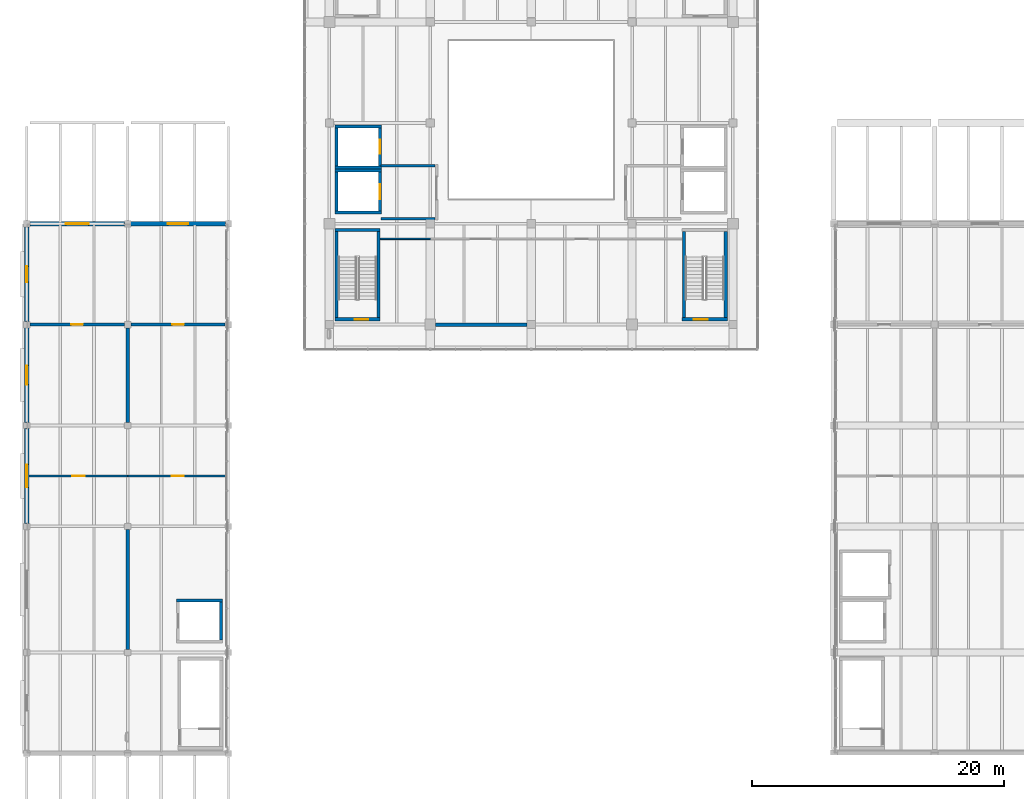
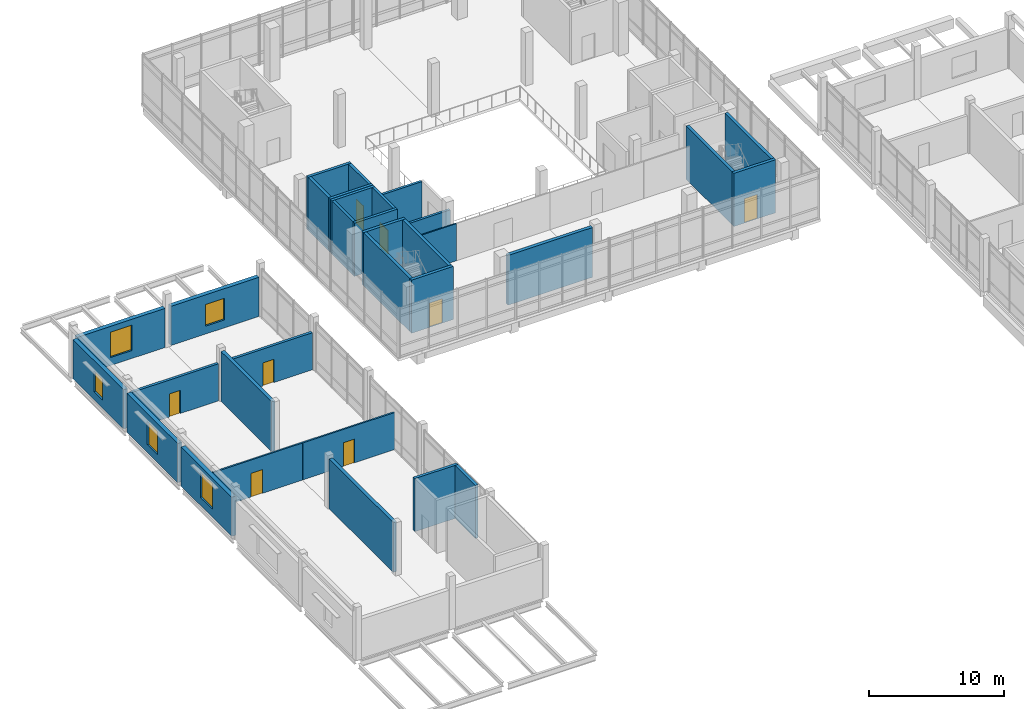
# One storey, part 20 of 28: 32 walls, 8 doors, 5 windows, 13 openings.
"""IFC4 building model written with IfcOpenShell, lengths in metres."""

import ifcopenshell
import ifcopenshell.guid

model = None  # the IFC model being written
_history = None  # IfcOwnerHistory: only IFC2X3 demands one
_inside = {}  # id of a spatial element -> (the spatial element, [elements in it])
_under = {}  # id of a project, library or spatial element -> (it, [spatial elements below it])
_declared = {}  # id of a project -> (the project, [libraries it declares])
_typed = {}  # id of a type object -> (the type object, [elements of that type])
_made_of = {}  # id of a material, layer set ... -> (it, [elements and type objects made of it])


def new_model(schema):
    """Start an empty IFC model of exactly this schema.

    Asked for "IFC4X3", IfcOpenShell would pick the latest addendum, in which some entities
    have other attributes; the version numbers below select the first issue.
    IFC2X3 requires an IfcOwnerHistory on every rooted entity: one is made here for all.
    """
    global model, _history
    if schema == "IFC4X3":
        model = ifcopenshell.file(schema_version=(4, 3, 0, 0))
    else:
        model = ifcopenshell.file(schema=schema)
    _inside.clear()
    _under.clear()
    _declared.clear()
    _typed.clear()
    _made_of.clear()
    _history = None
    if model.schema == "IFC2X3":
        org = make("IfcOrganization", Name="unknown")
        user = make(
            "IfcPersonAndOrganization",
            ThePerson=make("IfcPerson", FamilyName="unknown"),
            TheOrganization=org,
        )
        app = make(
            "IfcApplication",
            ApplicationDeveloper=org,
            Version="unknown",
            ApplicationFullName="unknown",
            ApplicationIdentifier="unknown",
        )
        _history = make(
            "IfcOwnerHistory",
            OwningUser=user,
            OwningApplication=app,
            ChangeAction="ADDED",
            CreationDate=0,
        )
    return model


def make(cls, **values):
    """One entity of the class cls with the attributes given. An attribute that is None is left unset."""
    return model.create_entity(
        cls, **{name: value for name, value in values.items() if value is not None}
    )


def rooted(cls, **values):
    """An entity with a GlobalId (a new one), such as an element, a storey or a relation."""
    return make(cls, GlobalId=ifcopenshell.guid.new(), OwnerHistory=_history, **values)


def si_unit(unit_type, name, prefix=None):
    """IfcSIUnit, for example si_unit("LENGTHUNIT", "METRE", prefix="MILLI")."""
    return make("IfcSIUnit", UnitType=unit_type, Prefix=prefix, Name=name)


def assignment(units):
    """IfcUnitAssignment: the units of a project."""
    return None if units is None else make("IfcUnitAssignment", Units=units)


def point(xyz):
    """IfcCartesianPoint."""
    return None if xyz is None else make("IfcCartesianPoint", Coordinates=xyz)


def direction(xyz):
    """IfcDirection."""
    return None if xyz is None else make("IfcDirection", DirectionRatios=xyz)


def frame(location, z_axis=None, x_axis=None):
    """IfcAxis2Placement3D, a coordinate frame: its origin and axes. An axis left out is left unset."""
    return make(
        "IfcAxis2Placement3D",
        Location=point(location),
        Axis=direction(z_axis),
        RefDirection=direction(x_axis),
    )


def frame_2d(location, x_axis=None):
    """IfcAxis2Placement2D, a coordinate frame in the plane: its origin and x axis."""
    return make(
        "IfcAxis2Placement2D", Location=point(location), RefDirection=direction(x_axis)
    )


def origin():
    """The frame at (0, 0, 0) with its axes left unset."""
    return frame((0.0, 0.0, 0.0))


def place(relative_to, where):
    """IfcLocalPlacement: puts the frame where relative to a parent placement (None: the world)."""
    return make(
        "IfcLocalPlacement", PlacementRelTo=relative_to, RelativePlacement=where
    )


def context(
    kind, dimensions, precision=None, world=None, true_north=None, identifier=None
):
    """IfcGeometricRepresentationContext, for example the 3D "Model" context."""
    return make(
        "IfcGeometricRepresentationContext",
        ContextIdentifier=identifier,
        ContextType=kind,
        CoordinateSpaceDimension=dimensions,
        Precision=precision,
        WorldCoordinateSystem=world,
        TrueNorth=true_north,
    )


def subcontext(parent, identifier, kind, view, scale=None):
    """IfcGeometricRepresentationSubContext, for example "Body" below "Model"."""
    return make(
        "IfcGeometricRepresentationSubContext",
        ContextIdentifier=identifier,
        ContextType=kind,
        ParentContext=parent,
        TargetScale=scale,
        TargetView=view,
    )


def project(units=None, contexts=None):
    """IfcProject with its units and contexts."""
    return rooted(
        "IfcProject",
        Name="project",
        RepresentationContexts=contexts,
        UnitsInContext=assignment(units),
    )


def spatial(cls, under=None, at=None, **own):
    """A site, building, storey or space (cls), placed at a placement, below another one or the project."""
    s = rooted(cls, ObjectPlacement=at, **own)
    if under is not None:
        _under.setdefault(under.id(), (under, []))[1].append(s)
    return s


def profile(cls, at=None, kind="AREA", **sizes):
    """A parametric profile (cls). Its sizes go by their IFC names, for example OverallWidth=200.0."""
    return make(cls, ProfileType=kind, Position=at, **sizes)


def rectangle(**sizes):
    """IfcRectangleProfileDef."""
    return profile("IfcRectangleProfileDef", **sizes)


def extrude(swept, where, along, depth):
    """IfcExtrudedAreaSolid: the profile swept, set in the frame where, extruded along a direction by depth."""
    return make(
        "IfcExtrudedAreaSolid",
        SweptArea=swept,
        Position=where,
        ExtrudedDirection=direction(along),
        Depth=depth,
    )


def shape(context_of_items, identifier, shape_type, items):
    """IfcShapeRepresentation: the items that make up one representation, for example the "Body"."""
    return make(
        "IfcShapeRepresentation",
        ContextOfItems=context_of_items,
        RepresentationIdentifier=identifier,
        RepresentationType=shape_type,
        Items=items,
    )


def material(Name=None, Category=None):
    """IfcMaterial."""
    return make("IfcMaterial", Name=Name, Category=Category)


def layer(
    of_material, thickness, ventilated=None, Name=None, Category=None, Priority=None
):
    """IfcMaterialLayer: one layer of a wall or slab, of a material (None: an air gap)."""
    return make(
        "IfcMaterialLayer",
        Material=of_material,
        LayerThickness=thickness,
        IsVentilated=ventilated,
        Name=Name,
        Category=Category,
        Priority=Priority,
    )


def layer_set(layers, Name=None):
    """IfcMaterialLayerSet."""
    return make("IfcMaterialLayerSet", MaterialLayers=layers, LayerSetName=Name)


def made_of(thing, what):
    """Note that an element or type object is made of a material, layer set ...; save() writes the relation."""
    if what is not None:
        _made_of.setdefault(what.id(), (what, []))[1].append(thing)
    return thing


def type_object(cls, material=None, **own):
    """A type object (cls), such as IfcWallType, which elements share."""
    return made_of(rooted(cls, **own), material)


def element(
    cls,
    number,
    at=None,
    inside=None,
    cuts=None,
    type_object=None,
    material=None,
    context=None,
    identifier="Body",
    shape_type=None,
    held_by="IfcProductDefinitionShape",
    body=None,
    shapes=None,
    **own,
):
    """One element of the class cls, such as IfcWall. Its Tag is "e" and its number.

    at: its placement. inside: the storey or other place that contains it. cuts: it is an
    opening in that element (IfcRelVoidsElement). A single representation is given by context,
    identifier, shape_type and body (its items); several are given by shapes. held_by: the class
    of the entity that holds the representations. save() writes the other relations.
    """
    e = rooted(cls, Tag="e%d" % number, ObjectPlacement=at, **own)
    if body is not None:
        shapes = [shape(context, identifier, shape_type, body)]
    if shapes is not None:
        e.Representation = make(held_by, Representations=shapes)
    if inside is not None:
        _inside.setdefault(inside.id(), (inside, []))[1].append(e)
    if cuts is not None:
        rooted(
            "IfcRelVoidsElement", RelatingBuildingElement=cuts, RelatedOpeningElement=e
        )
    if type_object is not None:
        _typed.setdefault(type_object.id(), (type_object, []))[1].append(e)
    return made_of(e, material)


def fill(opening, filler):
    """IfcRelFillsElement: the door or window that sits in an opening."""
    return rooted(
        "IfcRelFillsElement",
        RelatingOpeningElement=opening,
        RelatedBuildingElement=filler,
    )


def aggregate(whole, parts):
    """IfcRelAggregates: a whole, such as a stair, and the parts it consists of."""
    return rooted("IfcRelAggregates", RelatingObject=whole, RelatedObjects=parts)


def save(model, path):
    """Write the relations noted so far, then the file.

    IfcRelAggregates (storeys below a building ...), IfcRelContainedInSpatialStructure (elements
    in a storey), IfcRelDefinesByType, IfcRelAssociatesMaterial and IfcRelDeclares: one each for
    every whole, place, type object, material and project.
    """
    for whole, parts in _under.values():
        aggregate(whole, parts)
    for where, things in _inside.values():
        rooted(
            "IfcRelContainedInSpatialStructure",
            RelatedElements=things,
            RelatingStructure=where,
        )
    for kind, things in _typed.values():
        rooted("IfcRelDefinesByType", RelatedObjects=things, RelatingType=kind)
    for what, things in _made_of.values():
        rooted("IfcRelAssociatesMaterial", RelatedObjects=things, RelatingMaterial=what)
    for by, libraries in _declared.values():
        rooted("IfcRelDeclares", RelatingContext=by, RelatedDefinitions=libraries)
    model.write(path)


model = new_model("IFC4")

# Units and contexts
model_context = context("Model", 3, precision=1e-05, world=origin(), true_north=direction((0.0, 1.0)))
body_context = subcontext(model_context, "Body", "Model", "MODEL_VIEW")
ifc_project = project(units=[si_unit("LENGTHUNIT", "METRE"), si_unit("AREAUNIT", "SQUARE_METRE"), si_unit("VOLUMEUNIT", "CUBIC_METRE"), si_unit("PLANEANGLEUNIT", "RADIAN"), si_unit("MASSUNIT", "GRAM", prefix="KILO")], contexts=[model_context])

# Site, building, storey
site_placement = place(None, origin())
site = spatial("IfcSite", under=ifc_project, at=site_placement, CompositionType="ELEMENT")
building_placement = place(site_placement, origin())
building = spatial("IfcBuilding", under=site, at=building_placement, Name="Pecanmere Concourse Central Library", CompositionType="ELEMENT")
storey_placement = place(building_placement, frame((0.0, 0.0, 20.10009765625)))
storey = spatial("IfcBuildingStorey", under=building, at=storey_placement, Name="L05", CompositionType="ELEMENT", Elevation=20.10009765625)

# Wall, opening, window
ifc_material_1 = material(Name="Texas cream limestone ashlar masonry", Category="masonry")
ifc_layer_1 = layer(ifc_material_1, 0.35009765625, Name="EW_LIME_350")
ifc_layer_set_1 = layer_set([ifc_layer_1], Name="Texas cream limestone ashlar masonry")
wall_type_1 = type_object("IfcWallType", Name="EW_LIME_350", PredefinedType="STANDARD", material=ifc_layer_set_1)
wall_1_placement = place(storey_placement, frame((48.0, 81.7548828125, 0.0), z_axis=(0.0, 0.0, 1.0), x_axis=(0.0, -1.0, 0.0)))
wall_1 = element("IfcWall", 1, at=wall_1_placement, inside=storey, type_object=wall_type_1, Name="Limestone Facade Wall L05-0204", PredefinedType="STANDARD", context=body_context, shape_type="SweptSolid", body=[
    extrude(rectangle(XDim=7.509765625, YDim=0.35009765625, at=frame_2d((3.7548828125, 0.0))), origin(), (0.0, 0.0, 1.0), 3.539794921875),
])
opening_1_placement = place(wall_1_placement, frame((2.85498046875, 0.0, 0.719970703125)))
opening_1 = element("IfcOpeningElement", 2, at=opening_1_placement, cuts=wall_1, Name="Opening WN-04", PredefinedType="OPENING", context=body_context, shape_type="SweptSolid", body=[
    extrude(rectangle(XDim=1.800048828125, YDim=2.300048828125, at=frame_2d((0.89990234375, 1.14990234375))), frame((0.0, 0.18701171875, 0.0), z_axis=(0.0, -1.0, 0.0), x_axis=(1.0, 0.0, 0.0)), (0.0, 0.0, 1.0), 0.3740234375),
])
ifc_material_2 = material(Name="Low-iron clear insulated glazing", Category="glass")
window_type_1 = type_object("IfcWindowType", Name="WIN_1800x2300", PartitioningType="SINGLE_PANEL", PredefinedType="WINDOW", material=ifc_material_2)
window_1_placement = place(opening_1_placement, origin())
window_1 = element("IfcWindow", 3, at=window_1_placement, inside=storey, type_object=window_type_1, Name="WN-173", OverallHeight=2.300048828125, OverallWidth=1.800048828125, PartitioningType="SINGLE_PANEL", PredefinedType="WINDOW", context=body_context, shape_type="SweptSolid", body=[
    extrude(rectangle(XDim=1.800048828125, YDim=2.300048828125, at=frame_2d((0.89990234375, 1.14990234375))), frame((0.0, 0.030029296875, 0.0), z_axis=(0.0, -1.0, 0.0), x_axis=(1.0, 0.0, 0.0)), (0.0, 0.0, 1.0), 0.06005859375),
])
fill(opening_1, window_1)

wall_2_placement = place(storey_placement, frame((48.0, 89.7548828125, 0.0), z_axis=(0.0, 0.0, 1.0), x_axis=(0.0, -1.0, 0.0)))
wall_2 = element("IfcWall", 4, at=wall_2_placement, inside=storey, type_object=wall_type_1, Name="Limestone Facade Wall L05-0206", PredefinedType="STANDARD", context=body_context, shape_type="SweptSolid", body=[
    extrude(rectangle(XDim=7.509765625, YDim=0.35009765625, at=frame_2d((3.7548828125, 0.0))), origin(), (0.0, 0.0, 1.0), 3.539794921875),
])
opening_2_placement = place(wall_2_placement, frame((3.0048828125, 0.0, 0.719970703125)))
opening_2 = element("IfcOpeningElement", 5, at=opening_2_placement, cuts=wall_2, Name="Opening WN-08", PredefinedType="OPENING", context=body_context, shape_type="SweptSolid", body=[
    extrude(rectangle(XDim=1.5, YDim=2.10009765625, at=frame_2d((0.75, 1.050048828125))), frame((0.0, 0.18701171875, 0.0), z_axis=(0.0, -1.0, 0.0), x_axis=(1.0, 0.0, 0.0)), (0.0, 0.0, 1.0), 0.3740234375),
])
ifc_material_3 = material(Name="Low-iron clear insulated glazing", Category="glass")
window_type_2 = type_object("IfcWindowType", Name="WIN_1500x2100", PartitioningType="SINGLE_PANEL", PredefinedType="WINDOW", material=ifc_material_3)
window_2_placement = place(opening_2_placement, origin())
window_2 = element("IfcWindow", 6, at=window_2_placement, inside=storey, type_object=window_type_2, Name="WN-175", OverallHeight=2.10009765625, OverallWidth=1.5, PartitioningType="SINGLE_PANEL", PredefinedType="WINDOW", context=body_context, shape_type="SweptSolid", body=[
    extrude(rectangle(XDim=1.5, YDim=2.10009765625, at=frame_2d((0.75, 1.050048828125))), frame((0.0, 0.030029296875, 0.0), z_axis=(0.0, -1.0, 0.0), x_axis=(1.0, 0.0, 0.0)), (0.0, 0.0, 1.0), 0.06005859375),
])
fill(opening_2, window_2)

wall_3_placement = place(storey_placement, frame((48.0, 97.7548828125, 0.0), z_axis=(0.0, 0.0, 1.0), x_axis=(0.0, -1.0, 0.0)))
wall_3 = element("IfcWall", 7, at=wall_3_placement, inside=storey, type_object=wall_type_1, Name="Limestone Facade Wall L05-0208", PredefinedType="STANDARD", context=body_context, shape_type="SweptSolid", body=[
    extrude(rectangle(XDim=7.509765625, YDim=0.35009765625, at=frame_2d((3.7548828125, 0.0))), origin(), (0.0, 0.0, 1.0), 3.539794921875),
])
opening_3_placement = place(wall_3_placement, frame((3.1298828125, 0.0, 0.719970703125)))
opening_3 = element("IfcOpeningElement", 8, at=opening_3_placement, cuts=wall_3, Name="Opening WN-12", PredefinedType="OPENING", context=body_context, shape_type="SweptSolid", body=[
    extrude(rectangle(XDim=1.25, YDim=1.89990234375, at=frame_2d((0.625, 0.949951171875))), frame((0.0, 0.18701171875, 0.0), z_axis=(0.0, -1.0, 0.0), x_axis=(1.0, 0.0, 0.0)), (0.0, 0.0, 1.0), 0.3740234375),
])
ifc_material_4 = material(Name="Low-iron clear insulated glazing", Category="glass")
window_type_3 = type_object("IfcWindowType", Name="WIN_1250x1900", PartitioningType="SINGLE_PANEL", PredefinedType="WINDOW", material=ifc_material_4)
window_3_placement = place(opening_3_placement, origin())
window_3 = element("IfcWindow", 9, at=window_3_placement, inside=storey, type_object=window_type_3, Name="WN-177", OverallHeight=1.89990234375, OverallWidth=1.25, PartitioningType="SINGLE_PANEL", PredefinedType="WINDOW", context=body_context, shape_type="SweptSolid", body=[
    extrude(rectangle(XDim=1.25, YDim=1.89990234375, at=frame_2d((0.625, 0.949951171875))), frame((0.0, 0.030029296875, 0.0), z_axis=(0.0, -1.0, 0.0), x_axis=(1.0, 0.0, 0.0)), (0.0, 0.0, 1.0), 0.06005859375),
])
fill(opening_3, window_3)

wall_4_placement = place(storey_placement, frame((55.7548828125, 98.0, 0.0), z_axis=(0.0, 0.0, 1.0), x_axis=(-1.0, 0.0, 0.0)))
wall_4 = element("IfcWall", 10, at=wall_4_placement, inside=storey, type_object=wall_type_1, Name="Limestone Facade Wall L05-0214", PredefinedType="STANDARD", context=body_context, shape_type="SweptSolid", body=[
    extrude(rectangle(XDim=7.509765625, YDim=0.35009765625, at=frame_2d((3.7548828125, 0.0))), origin(), (0.0, 0.0, 1.0), 3.539794921875),
])
opening_4_placement = place(wall_4_placement, frame((2.85498046875, 0.0, 0.719970703125)))
opening_4 = element("IfcOpeningElement", 11, at=opening_4_placement, cuts=wall_4, Name="Opening WN-04", PredefinedType="OPENING", context=body_context, shape_type="SweptSolid", body=[
    extrude(rectangle(XDim=1.800048828125, YDim=2.300048828125, at=frame_2d((0.89990234375, 1.14990234375))), frame((0.0, 0.18701171875, 0.0), z_axis=(0.0, -1.0, 0.0), x_axis=(1.0, 0.0, 0.0)), (0.0, 0.0, 1.0), 0.3740234375),
])
window_4_placement = place(opening_4_placement, origin())
window_4 = element("IfcWindow", 12, at=window_4_placement, inside=storey, type_object=window_type_1, Name="WN-180", OverallHeight=2.300048828125, OverallWidth=1.800048828125, PartitioningType="SINGLE_PANEL", PredefinedType="WINDOW", context=body_context, shape_type="SweptSolid", body=[
    extrude(rectangle(XDim=1.800048828125, YDim=2.300048828125, at=frame_2d((0.89990234375, 1.14990234375))), frame((0.0, 0.030029296875, 0.0), z_axis=(0.0, -1.0, 0.0), x_axis=(1.0, 0.0, 0.0)), (0.0, 0.0, 1.0), 0.06005859375),
])
fill(opening_4, window_4)

wall_5_placement = place(storey_placement, frame((63.7548828125, 98.0, 0.0), z_axis=(0.0, 0.0, 1.0), x_axis=(-1.0, 0.0, 0.0)))
wall_5 = element("IfcWall", 13, at=wall_5_placement, inside=storey, type_object=wall_type_1, Name="Limestone Facade Wall L05-0216", PredefinedType="STANDARD", context=body_context, shape_type="SweptSolid", body=[
    extrude(rectangle(XDim=7.509765625, YDim=0.35009765625, at=frame_2d((3.7548828125, 0.0))), origin(), (0.0, 0.0, 1.0), 3.539794921875),
])
opening_5_placement = place(wall_5_placement, frame((2.955078125, 0.0, 0.719970703125)))
opening_5 = element("IfcOpeningElement", 14, at=opening_5_placement, cuts=wall_5, Name="Opening WN-07", PredefinedType="OPENING", context=body_context, shape_type="SweptSolid", body=[
    extrude(rectangle(XDim=1.60009765625, YDim=1.949951171875, at=frame_2d((0.800048828125, 0.97509765625))), frame((0.0, 0.18701171875, 0.0), z_axis=(0.0, -1.0, 0.0), x_axis=(1.0, 0.0, 0.0)), (0.0, 0.0, 1.0), 0.3740234375),
])
ifc_material_5 = material(Name="Low-iron clear insulated glazing", Category="glass")
window_type_4 = type_object("IfcWindowType", Name="WIN_1600x1950", PartitioningType="SINGLE_PANEL", PredefinedType="WINDOW", material=ifc_material_5)
window_5_placement = place(opening_5_placement, origin())
window_5 = element("IfcWindow", 15, at=window_5_placement, inside=storey, type_object=window_type_4, Name="WN-181", OverallHeight=1.949951171875, OverallWidth=1.60009765625, PartitioningType="SINGLE_PANEL", PredefinedType="WINDOW", context=body_context, shape_type="SweptSolid", body=[
    extrude(rectangle(XDim=1.60009765625, YDim=1.949951171875, at=frame_2d((0.800048828125, 0.97509765625))), frame((0.0, 0.030029296875, 0.0), z_axis=(0.0, -1.0, 0.0), x_axis=(1.0, 0.0, 0.0)), (0.0, 0.0, 1.0), 0.06005859375),
])
fill(opening_5, window_5)

# Wall
ifc_material_6 = material(Name="Fire-rated gypsum board on acoustic steel stud", Category="steel")
ifc_layer_2 = layer(ifc_material_6, 0.114990234375, Name="IW_PART_115")
ifc_layer_set_2 = layer_set([ifc_layer_2], Name="Fire-rated gypsum board on acoustic steel stud")
wall_type_2 = type_object("IfcWallType", Name="IW_PART_115", PredefinedType="PARTITIONING", material=ifc_layer_set_2)
wall_6_placement = place(storey_placement, frame((76.030029296875, 96.800048828125, 0.0), z_axis=(0.0, 0.0, 1.0), x_axis=(1.0, 0.0, 0.0)))
element("IfcWall", 16, at=wall_6_placement, inside=storey, type_object=wall_type_2, Name="Interior Partition L05-0212", PredefinedType="PARTITIONING", context=body_context, shape_type="SweptSolid", body=[
    extrude(rectangle(XDim=3.969970703125, YDim=0.114990234375, at=frame_2d((1.98486328125, 0.0))), origin(), (0.0, 0.0, 1.0), 3.349853515625),
])

# Wall, opening, door
ifc_material_7 = material(Name="Fire-rated gypsum board on acoustic steel stud", Category="steel")
ifc_layer_3 = layer(ifc_material_7, 0.135009765625, Name="IW_PART_135")
ifc_layer_set_3 = layer_set([ifc_layer_3], Name="Fire-rated gypsum board on acoustic steel stud")
wall_type_3 = type_object("IfcWallType", Name="IW_PART_135", PredefinedType="PARTITIONING", material=ifc_layer_set_3)
wall_7_placement = place(storey_placement, frame((48.18505859375, 78.0, 0.0), z_axis=(0.0, 0.0, 1.0), x_axis=(1.0, 0.0, 0.0)))
wall_7 = element("IfcWall", 17, at=wall_7_placement, inside=storey, type_object=wall_type_3, Name="Interior Partition L05-0206", PredefinedType="PARTITIONING", context=body_context, shape_type="SweptSolid", body=[
    extrude(rectangle(XDim=7.81494140625, YDim=0.135009765625, at=frame_2d((3.907470703125, 0.0))), origin(), (0.0, 0.0, 1.0), 3.349853515625),
])
opening_6_placement = place(wall_7_placement, frame((3.407470703125, 0.0, 0.0)))
opening_6 = element("IfcOpeningElement", 18, at=opening_6_placement, cuts=wall_7, Name="Opening DT-04", PredefinedType="OPENING", context=body_context, shape_type="SweptSolid", body=[
    extrude(rectangle(XDim=1.0, YDim=2.14990234375, at=frame_2d((0.5, 1.074951171875))), frame((0.0, 0.07958984375, 0.0), z_axis=(0.0, -1.0, 0.0), x_axis=(1.0, 0.0, 0.0)), (0.0, 0.0, 1.0), 0.158935546875),
])
ifc_material_8 = material(Name="Solid white oak architectural joinery")
door_type_1 = type_object("IfcDoorType", Name="DT-04", OperationType="SINGLE_SWING_RIGHT", PredefinedType="DOOR", material=ifc_material_8)
door_1_placement = place(opening_6_placement, frame((1.0, 0.0, 0.0), z_axis=(0.0, 0.0, 1.0), x_axis=(-1.0, 0.0, 0.0)))
door_1 = element("IfcDoor", 19, at=door_1_placement, inside=storey, type_object=door_type_1, Name="D-227", OperationType="SINGLE_SWING_RIGHT", OverallHeight=2.14990234375, OverallWidth=1.0, PredefinedType="DOOR", context=body_context, shape_type="SweptSolid", body=[
    extrude(rectangle(XDim=1.0, YDim=2.14990234375, at=frame_2d((0.5, 1.074951171875))), frame((0.0, 0.02490234375, 0.0), z_axis=(0.0, -1.0, 0.0), x_axis=(1.0, 0.0, 0.0)), (0.0, 0.0, 1.0), 0.050048828125),
])
fill(opening_6, door_1)

wall_8_placement = place(storey_placement, frame((56.02001953125, 78.0, 0.0), z_axis=(0.0, 0.0, 1.0), x_axis=(1.0, 0.0, 0.0)))
wall_8 = element("IfcWall", 20, at=wall_8_placement, inside=storey, type_object=wall_type_3, Name="Interior Partition L05-0207", PredefinedType="PARTITIONING", context=body_context, shape_type="SweptSolid", body=[
    extrude(rectangle(XDim=7.8798828125, YDim=0.135009765625, at=frame_2d((3.93994140625, 0.0))), origin(), (0.0, 0.0, 1.0), 3.349853515625),
])
opening_7_placement = place(wall_8_placement, frame((3.465087890625, 0.0, 0.0)))
opening_7 = element("IfcOpeningElement", 21, at=opening_7_placement, cuts=wall_8, Name="Opening DT-05", PredefinedType="OPENING", context=body_context, shape_type="SweptSolid", body=[
    extrude(rectangle(XDim=0.949951171875, YDim=2.14990234375, at=frame_2d((0.47509765625, 1.074951171875))), frame((0.0, 0.07958984375, 0.0), z_axis=(0.0, -1.0, 0.0), x_axis=(1.0, 0.0, 0.0)), (0.0, 0.0, 1.0), 0.158935546875),
])
ifc_material_9 = material(Name="Solid white oak architectural joinery")
door_type_2 = type_object("IfcDoorType", Name="DT-05", OperationType="SINGLE_SWING_LEFT", PredefinedType="DOOR", material=ifc_material_9)
door_2_placement = place(opening_7_placement, origin())
door_2 = element("IfcDoor", 22, at=door_2_placement, inside=storey, type_object=door_type_2, Name="D-228", OperationType="SINGLE_SWING_LEFT", OverallHeight=2.14990234375, OverallWidth=0.949951171875, PredefinedType="DOOR", context=body_context, shape_type="SweptSolid", body=[
    extrude(rectangle(XDim=0.949951171875, YDim=2.14990234375, at=frame_2d((0.47509765625, 1.074951171875))), frame((0.0, 0.02490234375, 0.0), z_axis=(0.0, -1.0, 0.0), x_axis=(1.0, 0.0, 0.0)), (0.0, 0.0, 1.0), 0.050048828125),
])
fill(opening_7, door_2)

# Walls
ifc_material_10 = material(Name="Fire-rated gypsum board on acoustic steel stud", Category="steel")
ifc_layer_4 = layer(ifc_material_10, 0.199951171875, Name="IW_PART_200")
ifc_layer_set_4 = layer_set([ifc_layer_4], Name="Fire-rated gypsum board on acoustic steel stud")
wall_type_4 = type_object("IfcWallType", Name="IW_PART_200", PredefinedType="PARTITIONING", material=ifc_layer_set_4)
for number, where, z_axis, x_axis, name in (
    (23, (76.10009765625, 98.39990234375, 0.0), (0.0, 0.0, 1.0), (1.0, 0.0, 0.0), "Firefighting Lobby Wall W-L05-S"),
    (24, (76.10009765625, 102.60009765625, 0.0), (0.0, 0.0, 1.0), (1.0, 0.0, 0.0), "Firefighting Lobby Wall W-L05-N"),
):
    element("IfcWall", number, at=place(storey_placement, frame(where, z_axis=z_axis, x_axis=x_axis)), inside=storey, type_object=wall_type_4, Name=name, PredefinedType="PARTITIONING", context=body_context, shape_type="SweptSolid", body=[
        extrude(rectangle(XDim=4.27978515625, YDim=0.199951171875, at=frame_2d((2.139892578125, 0.0))), origin(), (0.0, 0.0, 1.0), 3.52001953125),
    ])

# Wall, opening, door
ifc_material_11 = material(Name="Concrete masonry unit ASTM C90", Category="masonry")
ifc_layer_5 = layer(ifc_material_11, 0.22509765625, Name="IW_PLUMB_225")
ifc_layer_set_5 = layer_set([ifc_layer_5], Name="Concrete masonry unit ASTM C90")
wall_type_5 = type_object("IfcWallType", Name="IW_PLUMB_225", PredefinedType="PARTITIONING", material=ifc_layer_set_5)
wall_9_placement = place(storey_placement, frame((48.260009765625, 90.0, 0.0), z_axis=(0.0, 0.0, 1.0), x_axis=(1.0, 0.0, 0.0)))
wall_9 = element("IfcWall", 25, at=wall_9_placement, inside=storey, type_object=wall_type_5, Name="Interior Partition L05-0210", PredefinedType="PARTITIONING", context=body_context, shape_type="SweptSolid", body=[
    extrude(rectangle(XDim=7.47998046875, YDim=0.22509765625, at=frame_2d((3.739990234375, 0.0))), origin(), (0.0, 0.0, 1.0), 3.349853515625),
])
opening_8_placement = place(wall_9_placement, frame((3.280029296875, 0.0, 0.0)))
opening_8 = element("IfcOpeningElement", 26, at=opening_8_placement, cuts=wall_9, Name="Opening DT-08", PredefinedType="OPENING", context=body_context, shape_type="SweptSolid", body=[
    extrude(rectangle(XDim=0.919921875, YDim=2.10009765625, at=frame_2d((0.4599609375, 1.050048828125))), frame((0.0, 0.12451171875, 0.0), z_axis=(0.0, -1.0, 0.0), x_axis=(1.0, 0.0, 0.0)), (0.0, 0.0, 1.0), 0.2490234375),
])
ifc_material_12 = material(Name="Solid white oak architectural joinery")
door_type_3 = type_object("IfcDoorType", Name="DT-08", OperationType="SINGLE_SWING_RIGHT", PredefinedType="DOOR", material=ifc_material_12)
door_3_placement = place(opening_8_placement, frame((0.919921875, 0.0, 0.0), z_axis=(0.0, 0.0, 1.0), x_axis=(-1.0, 0.0, 0.0)))
door_3 = element("IfcDoor", 27, at=door_3_placement, inside=storey, type_object=door_type_3, Name="D-231", OperationType="SINGLE_SWING_RIGHT", OverallHeight=2.10009765625, OverallWidth=0.919921875, PredefinedType="DOOR", context=body_context, shape_type="SweptSolid", body=[
    extrude(rectangle(XDim=0.919921875, YDim=2.10009765625, at=frame_2d((0.4599609375, 1.050048828125))), frame((0.0, 0.02490234375, 0.0), z_axis=(0.0, -1.0, 0.0), x_axis=(1.0, 0.0, 0.0)), (0.0, 0.0, 1.0), 0.050048828125),
])
fill(opening_8, door_3)

wall_10_placement = place(storey_placement, frame((56.260009765625, 90.0, 0.0), z_axis=(0.0, 0.0, 1.0), x_axis=(1.0, 0.0, 0.0)))
wall_10 = element("IfcWall", 28, at=wall_10_placement, inside=storey, type_object=wall_type_5, Name="Interior Partition L05-0211", PredefinedType="PARTITIONING", context=body_context, shape_type="SweptSolid", body=[
    extrude(rectangle(XDim=7.47998046875, YDim=0.22509765625, at=frame_2d((3.739990234375, 0.0))), origin(), (0.0, 0.0, 1.0), 3.349853515625),
])
opening_9_placement = place(wall_10_placement, frame((3.280029296875, 0.0, 0.0)))
opening_9 = element("IfcOpeningElement", 29, at=opening_9_placement, cuts=wall_10, Name="Opening DT-07", PredefinedType="OPENING", context=body_context, shape_type="SweptSolid", body=[
    extrude(rectangle(XDim=0.919921875, YDim=2.10009765625, at=frame_2d((0.4599609375, 1.050048828125))), frame((0.0, 0.12451171875, 0.0), z_axis=(0.0, -1.0, 0.0), x_axis=(1.0, 0.0, 0.0)), (0.0, 0.0, 1.0), 0.2490234375),
])
ifc_material_13 = material(Name="Solid white oak architectural joinery")
door_type_4 = type_object("IfcDoorType", Name="DT-07", OperationType="SINGLE_SWING_LEFT", PredefinedType="DOOR", material=ifc_material_13)
door_4_placement = place(opening_9_placement, origin())
door_4 = element("IfcDoor", 30, at=door_4_placement, inside=storey, type_object=door_type_4, Name="D-232", OperationType="SINGLE_SWING_LEFT", OverallHeight=2.10009765625, OverallWidth=0.919921875, PredefinedType="DOOR", context=body_context, shape_type="SweptSolid", body=[
    extrude(rectangle(XDim=0.919921875, YDim=2.10009765625, at=frame_2d((0.4599609375, 1.050048828125))), frame((0.0, 0.02490234375, 0.0), z_axis=(0.0, -1.0, 0.0), x_axis=(1.0, 0.0, 0.0)), (0.0, 0.0, 1.0), 0.050048828125),
])
fill(opening_9, door_4)

# Walls
ifc_material_14 = material(Name="Concrete C40/50", Category="concrete")
ifc_layer_6 = layer(ifc_material_14, 0.2900390625, Name="WALL_SHR_290")
ifc_layer_set_6 = layer_set([ifc_layer_6], Name="Concrete C40/50")
wall_type_6 = type_object("IfcWallType", Name="WALL_SHR_290", PredefinedType="SHEAR", material=ifc_layer_set_6)
wall_11_placement = place(storey_placement, frame((56.0, 64.25, 0.0), z_axis=(0.0, 0.0, 1.0), x_axis=(0.0, 1.0, 0.0)))
element("IfcWall", 31, at=wall_11_placement, inside=storey, type_object=wall_type_6, Name="Lateral Shear Wall L05-018", PredefinedType="SHEAR", context=body_context, shape_type="SweptSolid", body=[
    extrude(rectangle(XDim=9.5, YDim=0.2900390625, at=frame_2d((4.75, 0.0))), origin(), (0.0, 0.0, 1.0), 4.5),
])
wall_12_placement = place(storey_placement, frame((56.0, 82.25, 0.0), z_axis=(0.0, 0.0, 1.0), x_axis=(0.0, 1.0, 0.0)))
element("IfcWall", 32, at=wall_12_placement, inside=storey, type_object=wall_type_6, Name="Lateral Shear Wall L05-024", PredefinedType="SHEAR", context=body_context, shape_type="SweptSolid", body=[
    extrude(rectangle(XDim=7.5, YDim=0.2900390625, at=frame_2d((3.75, 0.0))), origin(), (0.0, 0.0, 1.0), 4.5),
])
wall_13_placement = place(storey_placement, frame((80.429931640625, 90.0, 0.0), z_axis=(0.0, 0.0, 1.0), x_axis=(1.0, 0.0, 0.0)))
element("IfcWall", 33, at=wall_13_placement, inside=storey, type_object=wall_type_6, Name="Lateral Shear Wall L05-030", PredefinedType="SHEAR", context=body_context, shape_type="SweptSolid", body=[
    extrude(rectangle(XDim=7.2451171875, YDim=0.2900390625, at=frame_2d((3.62255859375, 0.0))), origin(), (0.0, 0.0, 1.0), 4.5),
])
ifc_material_15 = material(Name="Concrete C40/50", Category="concrete")
ifc_layer_7 = layer(ifc_material_15, 0.239990234375, Name="WALL_SLD_240")
ifc_layer_set_7 = layer_set([ifc_layer_7], Name="Concrete C40/50")
wall_type_7 = type_object("IfcWallType", Name="WALL_SLD_240", PredefinedType="SOLIDWALL", material=ifc_layer_set_7)
for number, where, z_axis, x_axis, name in (
    (34, (72.4599609375, 98.8798828125, 0.0), (0.0, 0.0, 1.0), (1.0, 0.0, 0.0), "Hoistway Wall LF-01 L05-S"),
    (35, (72.4599609375, 102.219970703125, 0.0), (0.0, 0.0, 1.0), (1.0, 0.0, 0.0), "Hoistway Wall LF-01 L05-N"),
):
    element("IfcWall", number, at=place(storey_placement, frame(where, z_axis=z_axis, x_axis=x_axis)), inside=storey, type_object=wall_type_7, Name=name, PredefinedType="SOLIDWALL", context=body_context, shape_type="SweptSolid", body=[
        extrude(rectangle(XDim=3.679931640625, YDim=0.239990234375, at=frame_2d((1.83984375, 0.0))), origin(), (0.0, 0.0, 1.0), 4.7998046875),
    ])
wall_14_placement = place(storey_placement, frame((72.580078125, 99.0, 0.0), z_axis=(0.0, 0.0, 1.0), x_axis=(0.0, 1.0, 0.0)))
element("IfcWall", 36, at=wall_14_placement, inside=storey, type_object=wall_type_7, Name="Hoistway Wall LF-01 L05-W", PredefinedType="SOLIDWALL", context=body_context, shape_type="SweptSolid", body=[
    extrude(rectangle(XDim=3.10009765625, YDim=0.239990234375, at=frame_2d((1.550048828125, 0.0))), origin(), (0.0, 0.0, 1.0), 4.7998046875),
])

# Wall, opening, door
wall_15_placement = place(storey_placement, frame((76.02001953125, 99.0, 0.0), z_axis=(0.0, 0.0, 1.0), x_axis=(0.0, 1.0, 0.0)))
wall_15 = element("IfcWall", 37, at=wall_15_placement, inside=storey, type_object=wall_type_7, Name="Hoistway Wall LF-01 L05-E", PredefinedType="SOLIDWALL", context=body_context, shape_type="SweptSolid", body=[
    extrude(rectangle(XDim=3.10009765625, YDim=0.239990234375, at=frame_2d((1.550048828125, 0.0))), origin(), (0.0, 0.0, 1.0), 4.7998046875),
])
opening_10_placement = place(wall_15_placement, frame((0.949951171875, 0.0, 0.0)))
opening_10 = element("IfcOpeningElement", 38, at=opening_10_placement, cuts=wall_15, Name="Opening LD-02", PredefinedType="OPENING", context=body_context, shape_type="SweptSolid", body=[
    extrude(rectangle(XDim=1.199951171875, YDim=2.199951171875, at=frame_2d((0.60009765625, 1.10009765625))), frame((0.0, 0.1318359375, 0.0), z_axis=(0.0, -1.0, 0.0), x_axis=(1.0, 0.0, 0.0)), (0.0, 0.0, 1.0), 0.263916015625),
])
ifc_material_16 = material(Name="Brushed stainless steel Grade 316", Category="steel")
door_type_5 = type_object("IfcDoorType", Name="LD-02", OperationType="DOUBLE_DOOR_SLIDING", PredefinedType="DOOR", material=ifc_material_16)
door_5_placement = place(opening_10_placement, origin())
door_5 = element("IfcDoor", 39, at=door_5_placement, inside=storey, type_object=door_type_5, Name="LD-LF-01-L05", OperationType="DOUBLE_DOOR_SLIDING", OverallHeight=2.199951171875, OverallWidth=1.199951171875, PredefinedType="DOOR", context=body_context, shape_type="SweptSolid", body=[
    extrude(rectangle(XDim=1.199951171875, YDim=2.199951171875, at=frame_2d((0.60009765625, 1.10009765625))), frame((0.0, 0.02490234375, 0.0), z_axis=(0.0, -1.0, 0.0), x_axis=(1.0, 0.0, 0.0)), (0.0, 0.0, 1.0), 0.050048828125),
])
fill(opening_10, door_5)

# Walls
for number, where, z_axis, x_axis, name in (
    (40, (72.4599609375, 102.47998046875, 0.0), (0.0, 0.0, 1.0), (1.0, 0.0, 0.0), "Hoistway Wall LP-01 L05-S"),
    (41, (72.4599609375, 105.719970703125, 0.0), (0.0, 0.0, 1.0), (1.0, 0.0, 0.0), "Hoistway Wall LP-01 L05-N"),
):
    element("IfcWall", number, at=place(storey_placement, frame(where, z_axis=z_axis, x_axis=x_axis)), inside=storey, type_object=wall_type_7, Name=name, PredefinedType="SOLIDWALL", context=body_context, shape_type="SweptSolid", body=[
        extrude(rectangle(XDim=3.679931640625, YDim=0.239990234375, at=frame_2d((1.83984375, 0.0))), origin(), (0.0, 0.0, 1.0), 4.7998046875),
    ])
wall_16_placement = place(storey_placement, frame((72.580078125, 102.60009765625, 0.0), z_axis=(0.0, 0.0, 1.0), x_axis=(0.0, 1.0, 0.0)))
element("IfcWall", 42, at=wall_16_placement, inside=storey, type_object=wall_type_7, Name="Hoistway Wall LP-01 L05-W", PredefinedType="SOLIDWALL", context=body_context, shape_type="SweptSolid", body=[
    extrude(rectangle(XDim=3.0, YDim=0.239990234375, at=frame_2d((1.5, 0.0))), origin(), (0.0, 0.0, 1.0), 4.7998046875),
])

# Wall, opening, door
wall_17_placement = place(storey_placement, frame((76.02001953125, 102.60009765625, 0.0), z_axis=(0.0, 0.0, 1.0), x_axis=(0.0, 1.0, 0.0)))
wall_17 = element("IfcWall", 43, at=wall_17_placement, inside=storey, type_object=wall_type_7, Name="Hoistway Wall LP-01 L05-E", PredefinedType="SOLIDWALL", context=body_context, shape_type="SweptSolid", body=[
    extrude(rectangle(XDim=3.0, YDim=0.239990234375, at=frame_2d((1.5, 0.0))), origin(), (0.0, 0.0, 1.0), 4.7998046875),
])
opening_11_placement = place(wall_17_placement, frame((0.949951171875, 0.0, 0.0)))
opening_11 = element("IfcOpeningElement", 44, at=opening_11_placement, cuts=wall_17, Name="Opening LD-01", PredefinedType="OPENING", context=body_context, shape_type="SweptSolid", body=[
    extrude(rectangle(XDim=1.10009765625, YDim=2.199951171875, at=frame_2d((0.550048828125, 1.10009765625))), frame((0.0, 0.1318359375, 0.0), z_axis=(0.0, -1.0, 0.0), x_axis=(1.0, 0.0, 0.0)), (0.0, 0.0, 1.0), 0.263916015625),
])
ifc_material_17 = material(Name="Brushed stainless steel Grade 316", Category="steel")
door_type_6 = type_object("IfcDoorType", Name="LD-01", OperationType="DOUBLE_DOOR_SLIDING", PredefinedType="DOOR", material=ifc_material_17)
door_6_placement = place(opening_11_placement, origin())
door_6 = element("IfcDoor", 45, at=door_6_placement, inside=storey, type_object=door_type_6, Name="LD-LP-01-L05", OperationType="DOUBLE_DOOR_SLIDING", OverallHeight=2.199951171875, OverallWidth=1.10009765625, PredefinedType="DOOR", context=body_context, shape_type="SweptSolid", body=[
    extrude(rectangle(XDim=1.10009765625, YDim=2.199951171875, at=frame_2d((0.550048828125, 1.10009765625))), frame((0.0, 0.02490234375, 0.0), z_axis=(0.0, -1.0, 0.0), x_axis=(1.0, 0.0, 0.0)), (0.0, 0.0, 1.0), 0.050048828125),
])
fill(opening_11, door_6)

# Walls
wall_18_placement = place(storey_placement, frame((59.860107421875, 68.1201171875, 0.0), z_axis=(0.0, 0.0, 1.0), x_axis=(1.0, 0.0, 0.0)))
element("IfcWall", 46, at=wall_18_placement, inside=storey, type_object=wall_type_7, Name="Hoistway Wall LP-04 L05-N", PredefinedType="SOLIDWALL", context=body_context, shape_type="SweptSolid", body=[
    extrude(rectangle(XDim=3.679931640625, YDim=0.239990234375, at=frame_2d((1.83984375, 0.0))), origin(), (0.0, 0.0, 1.0), 4.7998046875),
])
wall_19_placement = place(storey_placement, frame((63.419921875, 65.0, 0.0), z_axis=(0.0, 0.0, 1.0), x_axis=(0.0, 1.0, 0.0)))
element("IfcWall", 47, at=wall_19_placement, inside=storey, type_object=wall_type_7, Name="Hoistway Wall LP-04 L05-E", PredefinedType="SOLIDWALL", context=body_context, shape_type="SweptSolid", body=[
    extrude(rectangle(XDim=3.0, YDim=0.239990234375, at=frame_2d((1.5, 0.0))), origin(), (0.0, 0.0, 1.0), 4.7998046875),
])

# Wall, opening, door
ifc_material_18 = material(Name="Concrete C40/50", Category="concrete")
ifc_layer_8 = layer(ifc_material_18, 0.260009765625, Name="WALL_SLD_260")
ifc_layer_set_8 = layer_set([ifc_layer_8], Name="Concrete C40/50")
wall_type_8 = type_object("IfcWallType", Name="WALL_SLD_260", PredefinedType="SOLIDWALL", material=ifc_layer_set_8)
wall_20_placement = place(storey_placement, frame((72.43994140625, 90.419921875, 0.0), z_axis=(0.0, 0.0, 1.0), x_axis=(1.0, 0.0, 0.0)))
wall_20 = element("IfcWall", 48, at=wall_20_placement, inside=storey, type_object=wall_type_8, Name="Core C1 South Wall L05", PredefinedType="SOLIDWALL", context=body_context, shape_type="SweptSolid", body=[
    extrude(rectangle(XDim=3.580078125, YDim=0.260009765625, at=frame_2d((1.7900390625, 0.0))), origin(), (0.0, 0.0, 1.0), 4.7998046875),
])
opening_12_placement = place(wall_20_placement, frame((1.56005859375, 0.0, 0.0)))
opening_12 = element("IfcOpeningElement", 49, at=opening_12_placement, cuts=wall_20, Name="Opening FD-01", PredefinedType="OPENING", context=body_context, shape_type="SweptSolid", body=[
    extrude(rectangle(XDim=1.10009765625, YDim=2.199951171875, at=frame_2d((0.550048828125, 1.10009765625))), frame((0.0, 0.14208984375, 0.0), z_axis=(0.0, -1.0, 0.0), x_axis=(1.0, 0.0, 0.0)), (0.0, 0.0, 1.0), 0.283935546875),
])
ifc_material_19 = material(Name="Painted architectural steel ASTM A36", Category="steel")
door_type_7 = type_object("IfcDoorType", Name="FD-01", OperationType="SINGLE_SWING_LEFT", PredefinedType="DOOR", material=ifc_material_19)
door_7_placement = place(opening_12_placement, origin())
door_7 = element("IfcDoor", 50, at=door_7_placement, inside=storey, type_object=door_type_7, Name="D-006", OperationType="SINGLE_SWING_LEFT", OverallHeight=2.199951171875, OverallWidth=1.10009765625, PredefinedType="DOOR", context=body_context, shape_type="SweptSolid", body=[
    extrude(rectangle(XDim=1.10009765625, YDim=2.199951171875, at=frame_2d((0.550048828125, 1.10009765625))), frame((0.0, 0.02490234375, 0.0), z_axis=(0.0, -1.0, 0.0), x_axis=(1.0, 0.0, 0.0)), (0.0, 0.0, 1.0), 0.050048828125),
])
fill(opening_12, door_7)

# Walls
wall_21_placement = place(storey_placement, frame((72.43994140625, 97.5, 0.0), z_axis=(0.0, 0.0, 1.0), x_axis=(1.0, 0.0, 0.0)))
element("IfcWall", 51, at=wall_21_placement, inside=storey, type_object=wall_type_8, Name="Core C1 North Wall L05", PredefinedType="SOLIDWALL", context=body_context, shape_type="SweptSolid", body=[
    extrude(rectangle(XDim=3.580078125, YDim=0.260009765625, at=frame_2d((1.7900390625, 0.0))), origin(), (0.0, 0.0, 1.0), 4.7998046875),
])
for number, where, z_axis, x_axis, name in (
    (52, (72.570068359375, 90.550048828125, 0.0), (0.0, 0.0, 1.0), (0.0, 1.0, 0.0), "Core C1 W Wall L05"),
    (53, (75.889892578125, 90.550048828125, 0.0), (0.0, 0.0, 1.0), (0.0, 1.0, 0.0), "Core C1 E Wall L05"),
):
    element("IfcWall", number, at=place(storey_placement, frame(where, z_axis=z_axis, x_axis=x_axis)), inside=storey, type_object=wall_type_8, Name=name, PredefinedType="SOLIDWALL", context=body_context, shape_type="SweptSolid", body=[
        extrude(rectangle(XDim=6.820068359375, YDim=0.260009765625, at=frame_2d((3.41015625, 0.0))), origin(), (0.0, 0.0, 1.0), 4.7998046875),
    ])

# Wall, opening, door
wall_22_placement = place(storey_placement, frame((99.97998046875, 90.419921875, 0.0), z_axis=(0.0, 0.0, 1.0), x_axis=(1.0, 0.0, 0.0)))
wall_22 = element("IfcWall", 54, at=wall_22_placement, inside=storey, type_object=wall_type_8, Name="Core C2 South Wall L05", PredefinedType="SOLIDWALL", context=body_context, shape_type="SweptSolid", body=[
    extrude(rectangle(XDim=3.580078125, YDim=0.260009765625, at=frame_2d((1.7900390625, 0.0))), origin(), (0.0, 0.0, 1.0), 4.7998046875),
])
opening_13_placement = place(wall_22_placement, frame((0.919921875, 0.0, 0.0)))
opening_13 = element("IfcOpeningElement", 55, at=opening_13_placement, cuts=wall_22, Name="Opening FD-02", PredefinedType="OPENING", context=body_context, shape_type="SweptSolid", body=[
    extrude(rectangle(XDim=1.10009765625, YDim=2.199951171875, at=frame_2d((0.550048828125, 1.10009765625))), frame((0.0, 0.14208984375, 0.0), z_axis=(0.0, -1.0, 0.0), x_axis=(1.0, 0.0, 0.0)), (0.0, 0.0, 1.0), 0.283935546875),
])
ifc_material_20 = material(Name="Painted architectural steel ASTM A36", Category="steel")
door_type_8 = type_object("IfcDoorType", Name="FD-02", OperationType="SINGLE_SWING_RIGHT", PredefinedType="DOOR", material=ifc_material_20)
door_8_placement = place(opening_13_placement, origin())
door_8 = element("IfcDoor", 56, at=door_8_placement, inside=storey, type_object=door_type_8, Name="D-014", OperationType="SINGLE_SWING_RIGHT", OverallHeight=2.199951171875, OverallWidth=1.10009765625, PredefinedType="DOOR", context=body_context, shape_type="SweptSolid", body=[
    extrude(rectangle(XDim=1.10009765625, YDim=2.199951171875, at=frame_2d((0.550048828125, 1.10009765625))), frame((0.0, 0.02490234375, 0.0), z_axis=(0.0, -1.0, 0.0), x_axis=(1.0, 0.0, 0.0)), (0.0, 0.0, 1.0), 0.050048828125),
])
fill(opening_13, door_8)

# Walls
for number, where, z_axis, x_axis, name in (
    (57, (100.110107421875, 90.550048828125, 0.0), (0.0, 0.0, 1.0), (0.0, 1.0, 0.0), "Core C2 W Wall L05"),
    (58, (103.429931640625, 90.550048828125, 0.0), (0.0, 0.0, 1.0), (0.0, 1.0, 0.0), "Core C2 E Wall L05"),
):
    element("IfcWall", number, at=place(storey_placement, frame(where, z_axis=z_axis, x_axis=x_axis)), inside=storey, type_object=wall_type_8, Name=name, PredefinedType="SOLIDWALL", context=body_context, shape_type="SweptSolid", body=[
        extrude(rectangle(XDim=6.820068359375, YDim=0.260009765625, at=frame_2d((3.41015625, 0.0))), origin(), (0.0, 0.0, 1.0), 4.7998046875),
    ])

save(model, "model.ifc")
